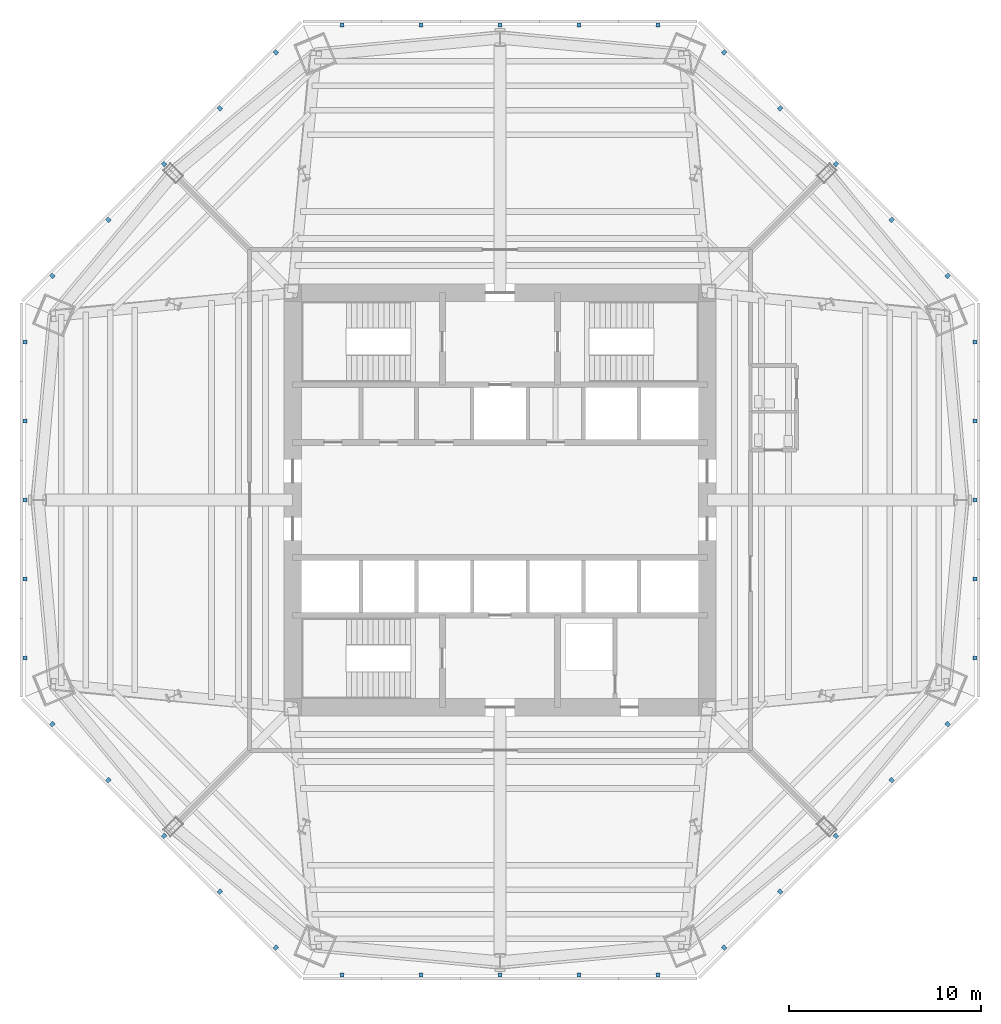
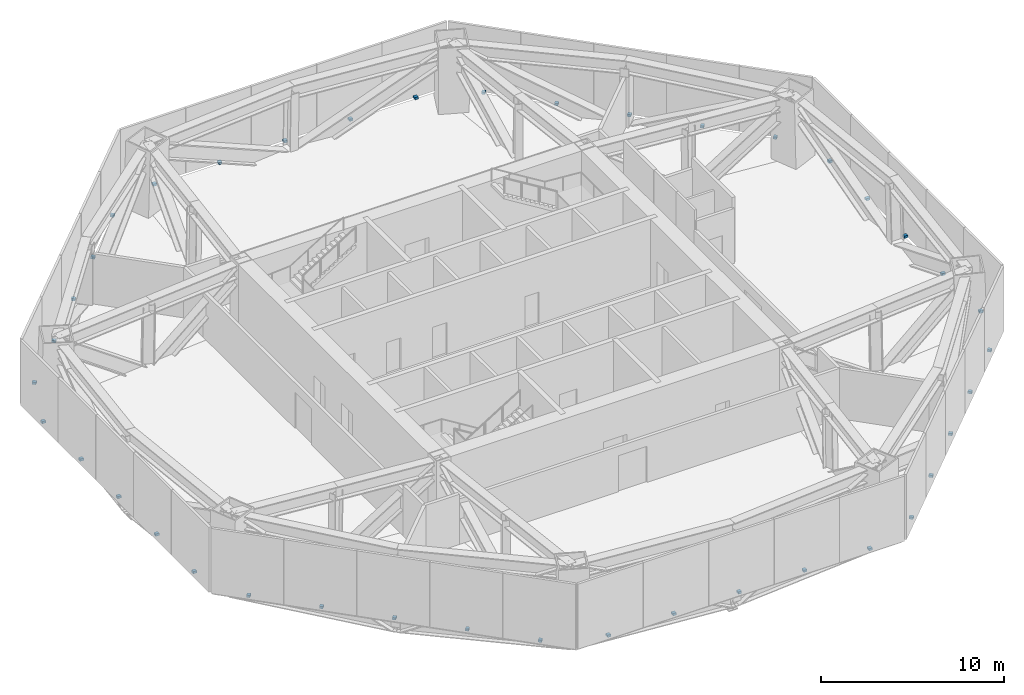
# One storey, part 7 of 10: 40 discrete accessories.
"""IFC4 building model written with IfcOpenShell, lengths in metres."""

from ifc_helpers import new_model, si_unit, direction, frame, origin, origin_2d, place, context, subcontext, project, spatial, rectangle, extrude, source, transform, mapped, material, type_object, type_shapes, element, save


model = new_model("IFC4")

# Units and contexts
model_context = context("Model", 3, precision=1e-05, world=origin(), true_north=direction((0.0, 1.0)))
body_context = subcontext(model_context, "Body", "Model", "MODEL_VIEW")
ifc_project = project(units=[si_unit("LENGTHUNIT", "METRE"), si_unit("AREAUNIT", "SQUARE_METRE"), si_unit("VOLUMEUNIT", "CUBIC_METRE"), si_unit("PLANEANGLEUNIT", "RADIAN"), si_unit("MASSUNIT", "GRAM", prefix="KILO")], contexts=[model_context])

# Site, building, storey
site_placement = place(None, origin())
site = spatial("IfcSite", under=ifc_project, at=site_placement, CompositionType="ELEMENT")
building_placement = place(site_placement, origin())
building = spatial("IfcBuilding", under=site, at=building_placement, Name="Mashrafa Tower", CompositionType="ELEMENT")
storey_placement = place(building_placement, frame((0.0, 0.0, 108.89990234375)))
storey = spatial("IfcBuildingStorey", under=building, at=storey_placement, Name="L24", CompositionType="ELEMENT", Elevation=108.89990234375)

# Discrete accessories
ifc_material = material(Name="Galvanised steel louvre bracket", Category="steel")
discrete_accessory_type = type_object("IfcDiscreteAccessoryType", Name="Louvre support bracket 200 x 150", PredefinedType="BRACKET", material=ifc_material)
shared_shape = source(origin(), body_context, "Body", "SweptSolid", [
    extrude(rectangle(XDim=0.199951171875, YDim=0.22509765625, at=origin_2d()), origin(), (0.0, 0.0, 1.0), 0.14990234375),
])
type_shapes(discrete_accessory_type, [shared_shape])
for number, where, z_axis, x_axis, name in (
    (1, (24.74658203125, -8.2294921875, 0.000244140625), (0.0, 0.0, 1.0), (0.0, 1.0, 0.0), "Louvre support bracket L24 east 1"),
    (2, (24.74658203125, -4.11474609375, 0.000244140625), (0.0, 0.0, 1.0), (0.0, 1.0, 0.0), "Louvre support bracket L24 east 2"),
    (3, (24.74658203125, 0.0, 0.000244140625), (0.0, 0.0, 1.0), (0.0, 1.0, 0.0), "Louvre support bracket L24 east 3"),
    (4, (24.74658203125, 4.11474609375, 0.000244140625), (0.0, 0.0, 1.0), (0.0, 1.0, 0.0), "Louvre support bracket L24 east 4"),
    (5, (24.74658203125, 8.2294921875, 0.000244140625), (0.0, 0.0, 1.0), (0.0, 1.0, 0.0), "Louvre support bracket L24 east 5"),
    (6, (23.317626953125, 11.67919921875, 0.000244140625), (0.0, 0.0, 1.0), (-0.707106781187, 0.707106781187, 0.0), "Louvre support bracket L24 north-east 1"),
    (7, (20.407958984375, 14.5888671875, 0.000244140625), (0.0, 0.0, 1.0), (-0.707106781187, 0.707106781187, 0.0), "Louvre support bracket L24 north-east 2"),
    (8, (17.49853515625, 17.49853515625, 0.000244140625), (0.0, 0.0, 1.0), (-0.707106781187, 0.707106781187, 0.0), "Louvre support bracket L24 north-east 3"),
    (9, (14.5888671875, 20.407958984375, 0.000244140625), (0.0, 0.0, 1.0), (-0.707106781187, 0.707106781187, 0.0), "Louvre support bracket L24 north-east 4"),
    (10, (11.67919921875, 23.317626953125, 0.000244140625), (0.0, 0.0, 1.0), (-0.707106781187, 0.707106781187, 0.0), "Louvre support bracket L24 north-east 5"),
    (11, (8.2294921875, 24.74658203125, 0.000244140625), (0.0, 0.0, 1.0), (-1.0, 0.0, 0.0), "Louvre support bracket L24 north 1"),
    (12, (4.11474609375, 24.74658203125, 0.000244140625), (0.0, 0.0, 1.0), (-1.0, 0.0, 0.0), "Louvre support bracket L24 north 2"),
    (13, (0.0, 24.74658203125, 0.000244140625), (0.0, 0.0, 1.0), (-1.0, 0.0, 0.0), "Louvre support bracket L24 north 3"),
    (14, (-4.11474609375, 24.74658203125, 0.000244140625), (0.0, 0.0, 1.0), (-1.0, 0.0, 0.0), "Louvre support bracket L24 north 4"),
    (15, (-8.2294921875, 24.74658203125, 0.000244140625), (0.0, 0.0, 1.0), (-1.0, 0.0, 0.0), "Louvre support bracket L24 north 5"),
    (16, (-11.67919921875, 23.317626953125, 0.000244140625), (0.0, 0.0, 1.0), (-0.707106781187, -0.707106781187, 0.0), "Louvre support bracket L24 north-west 1"),
    (17, (-14.5888671875, 20.407958984375, 0.000244140625), (0.0, 0.0, 1.0), (-0.707106781187, -0.707106781187, 0.0), "Louvre support bracket L24 north-west 2"),
    (18, (-17.49853515625, 17.49853515625, 0.000244140625), (0.0, 0.0, 1.0), (-0.707106781187, -0.707106781187, 0.0), "Louvre support bracket L24 north-west 3"),
    (19, (-20.407958984375, 14.5888671875, 0.000244140625), (0.0, 0.0, 1.0), (-0.707106781187, -0.707106781187, 0.0), "Louvre support bracket L24 north-west 4"),
    (20, (-23.317626953125, 11.67919921875, 0.000244140625), (0.0, 0.0, 1.0), (-0.707106781187, -0.707106781187, 0.0), "Louvre support bracket L24 north-west 5"),
    (21, (-24.74658203125, 8.2294921875, 0.000244140625), (0.0, 0.0, 1.0), (0.0, -1.0, 0.0), "Louvre support bracket L24 west 1"),
    (22, (-24.74658203125, 4.11474609375, 0.000244140625), (0.0, 0.0, 1.0), (0.0, -1.0, 0.0), "Louvre support bracket L24 west 2"),
    (23, (-24.74658203125, 0.0, 0.000244140625), (0.0, 0.0, 1.0), (0.0, -1.0, 0.0), "Louvre support bracket L24 west 3"),
    (24, (-24.74658203125, -4.11474609375, 0.000244140625), (0.0, 0.0, 1.0), (0.0, -1.0, 0.0), "Louvre support bracket L24 west 4"),
    (25, (-24.74658203125, -8.2294921875, 0.000244140625), (0.0, 0.0, 1.0), (0.0, -1.0, 0.0), "Louvre support bracket L24 west 5"),
    (26, (-23.317626953125, -11.67919921875, 0.000244140625), (0.0, 0.0, 1.0), (0.707106781187, -0.707106781187, 0.0), "Louvre support bracket L24 south-west 1"),
    (27, (-20.407958984375, -14.5888671875, 0.000244140625), (0.0, 0.0, 1.0), (0.707106781187, -0.707106781187, 0.0), "Louvre support bracket L24 south-west 2"),
    (28, (-17.49853515625, -17.49853515625, 0.000244140625), (0.0, 0.0, 1.0), (0.707106781187, -0.707106781187, 0.0), "Louvre support bracket L24 south-west 3"),
    (29, (-14.5888671875, -20.407958984375, 0.000244140625), (0.0, 0.0, 1.0), (0.707106781187, -0.707106781187, 0.0), "Louvre support bracket L24 south-west 4"),
    (30, (-11.67919921875, -23.317626953125, 0.000244140625), (0.0, 0.0, 1.0), (0.707106781187, -0.707106781187, 0.0), "Louvre support bracket L24 south-west 5"),
    (31, (-8.2294921875, -24.74658203125, 0.000244140625), (0.0, 0.0, 1.0), (1.0, 0.0, 0.0), "Louvre support bracket L24 south 1"),
    (32, (-4.11474609375, -24.74658203125, 0.000244140625), (0.0, 0.0, 1.0), (1.0, 0.0, 0.0), "Louvre support bracket L24 south 2"),
    (33, (0.0, -24.74658203125, 0.000244140625), (0.0, 0.0, 1.0), (1.0, 0.0, 0.0), "Louvre support bracket L24 south 3"),
    (34, (4.11474609375, -24.74658203125, 0.000244140625), (0.0, 0.0, 1.0), (1.0, 0.0, 0.0), "Louvre support bracket L24 south 4"),
    (35, (8.2294921875, -24.74658203125, 0.000244140625), (0.0, 0.0, 1.0), (1.0, 0.0, 0.0), "Louvre support bracket L24 south 5"),
    (36, (11.67919921875, -23.317626953125, 0.000244140625), (0.0, 0.0, 1.0), (0.707106781187, 0.707106781187, 0.0), "Louvre support bracket L24 south-east 1"),
    (37, (14.5888671875, -20.407958984375, 0.000244140625), (0.0, 0.0, 1.0), (0.707106781187, 0.707106781187, 0.0), "Louvre support bracket L24 south-east 2"),
    (38, (17.49853515625, -17.49853515625, 0.000244140625), (0.0, 0.0, 1.0), (0.707106781187, 0.707106781187, 0.0), "Louvre support bracket L24 south-east 3"),
    (39, (20.407958984375, -14.5888671875, 0.000244140625), (0.0, 0.0, 1.0), (0.707106781187, 0.707106781187, 0.0), "Louvre support bracket L24 south-east 4"),
    (40, (23.317626953125, -11.67919921875, 0.000244140625), (0.0, 0.0, 1.0), (0.707106781187, 0.707106781187, 0.0), "Louvre support bracket L24 south-east 5"),
):
    element("IfcDiscreteAccessory", number, at=place(storey_placement, frame(where, z_axis=z_axis, x_axis=x_axis)), inside=storey, type_object=discrete_accessory_type, Name=name, PredefinedType="BRACKET", context=body_context, shape_type="MappedRepresentation", body=[
        mapped(shared_shape, transform((0.0, 0.0, 0.0))),
    ])

save(model, "model.ifc")
